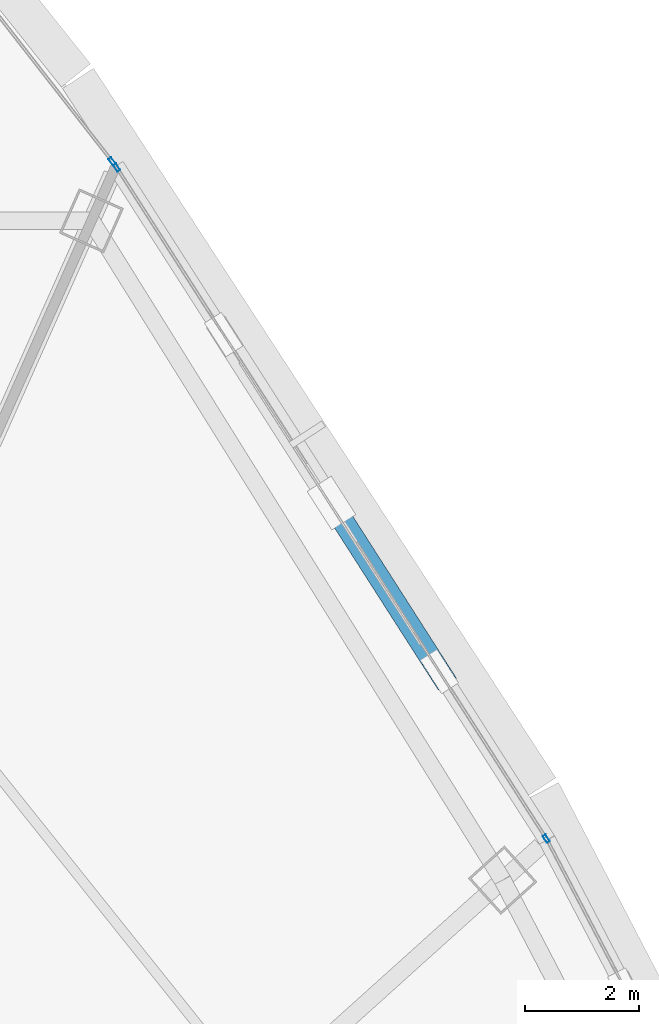
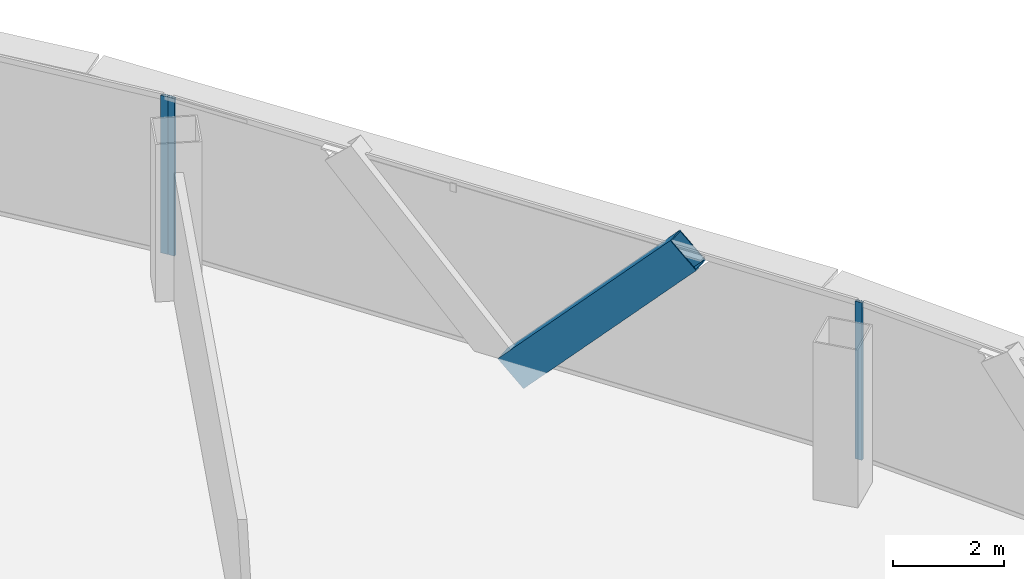
# One storey, part 22 of 36: 4 members, 2 elements without a shape of their own.
"""IFC4 building model written with IfcOpenShell, lengths in metres."""

import ifcopenshell
import ifcopenshell.guid

model = None  # the IFC model being written
_history = None  # IfcOwnerHistory: only IFC2X3 demands one
_inside = {}  # id of a spatial element -> (the spatial element, [elements in it])
_under = {}  # id of a project, library or spatial element -> (it, [spatial elements below it])
_declared = {}  # id of a project -> (the project, [libraries it declares])
_typed = {}  # id of a type object -> (the type object, [elements of that type])
_made_of = {}  # id of a material, layer set ... -> (it, [elements and type objects made of it])


def new_model(schema):
    """Start an empty IFC model of exactly this schema.

    Asked for "IFC4X3", IfcOpenShell would pick the latest addendum, in which some entities
    have other attributes; the version numbers below select the first issue.
    IFC2X3 requires an IfcOwnerHistory on every rooted entity: one is made here for all.
    """
    global model, _history
    if schema == "IFC4X3":
        model = ifcopenshell.file(schema_version=(4, 3, 0, 0))
    else:
        model = ifcopenshell.file(schema=schema)
    _inside.clear()
    _under.clear()
    _declared.clear()
    _typed.clear()
    _made_of.clear()
    _history = None
    if model.schema == "IFC2X3":
        org = make("IfcOrganization", Name="unknown")
        user = make(
            "IfcPersonAndOrganization",
            ThePerson=make("IfcPerson", FamilyName="unknown"),
            TheOrganization=org,
        )
        app = make(
            "IfcApplication",
            ApplicationDeveloper=org,
            Version="unknown",
            ApplicationFullName="unknown",
            ApplicationIdentifier="unknown",
        )
        _history = make(
            "IfcOwnerHistory",
            OwningUser=user,
            OwningApplication=app,
            ChangeAction="ADDED",
            CreationDate=0,
        )
    return model


def make(cls, **values):
    """One entity of the class cls with the attributes given. An attribute that is None is left unset."""
    return model.create_entity(
        cls, **{name: value for name, value in values.items() if value is not None}
    )


def rooted(cls, **values):
    """An entity with a GlobalId (a new one), such as an element, a storey or a relation."""
    return make(cls, GlobalId=ifcopenshell.guid.new(), OwnerHistory=_history, **values)


def si_unit(unit_type, name, prefix=None):
    """IfcSIUnit, for example si_unit("LENGTHUNIT", "METRE", prefix="MILLI")."""
    return make("IfcSIUnit", UnitType=unit_type, Prefix=prefix, Name=name)


def assignment(units):
    """IfcUnitAssignment: the units of a project."""
    return None if units is None else make("IfcUnitAssignment", Units=units)


def point(xyz):
    """IfcCartesianPoint."""
    return None if xyz is None else make("IfcCartesianPoint", Coordinates=xyz)


def direction(xyz):
    """IfcDirection."""
    return None if xyz is None else make("IfcDirection", DirectionRatios=xyz)


def frame(location, z_axis=None, x_axis=None):
    """IfcAxis2Placement3D, a coordinate frame: its origin and axes. An axis left out is left unset."""
    return make(
        "IfcAxis2Placement3D",
        Location=point(location),
        Axis=direction(z_axis),
        RefDirection=direction(x_axis),
    )


def frame_2d(location, x_axis=None):
    """IfcAxis2Placement2D, a coordinate frame in the plane: its origin and x axis."""
    return make(
        "IfcAxis2Placement2D", Location=point(location), RefDirection=direction(x_axis)
    )


def origin():
    """The frame at (0, 0, 0) with its axes left unset."""
    return frame((0.0, 0.0, 0.0))


def origin_2d():
    """The frame at (0, 0) in the plane with its x axis left unset."""
    return frame_2d((0.0, 0.0))


def place(relative_to, where):
    """IfcLocalPlacement: puts the frame where relative to a parent placement (None: the world)."""
    return make(
        "IfcLocalPlacement", PlacementRelTo=relative_to, RelativePlacement=where
    )


def context(
    kind, dimensions, precision=None, world=None, true_north=None, identifier=None
):
    """IfcGeometricRepresentationContext, for example the 3D "Model" context."""
    return make(
        "IfcGeometricRepresentationContext",
        ContextIdentifier=identifier,
        ContextType=kind,
        CoordinateSpaceDimension=dimensions,
        Precision=precision,
        WorldCoordinateSystem=world,
        TrueNorth=true_north,
    )


def subcontext(parent, identifier, kind, view, scale=None):
    """IfcGeometricRepresentationSubContext, for example "Body" below "Model"."""
    return make(
        "IfcGeometricRepresentationSubContext",
        ContextIdentifier=identifier,
        ContextType=kind,
        ParentContext=parent,
        TargetScale=scale,
        TargetView=view,
    )


def project(units=None, contexts=None):
    """IfcProject with its units and contexts."""
    return rooted(
        "IfcProject",
        Name="project",
        RepresentationContexts=contexts,
        UnitsInContext=assignment(units),
    )


def spatial(cls, under=None, at=None, **own):
    """A site, building, storey or space (cls), placed at a placement, below another one or the project."""
    s = rooted(cls, ObjectPlacement=at, **own)
    if under is not None:
        _under.setdefault(under.id(), (under, []))[1].append(s)
    return s


def profile(cls, at=None, kind="AREA", **sizes):
    """A parametric profile (cls). Its sizes go by their IFC names, for example OverallWidth=200.0."""
    return make(cls, ProfileType=kind, Position=at, **sizes)


def hollow_rectangle(**sizes):
    """IfcRectangleHollowProfileDef."""
    return profile("IfcRectangleHollowProfileDef", **sizes)


def extrude(swept, where, along, depth):
    """IfcExtrudedAreaSolid: the profile swept, set in the frame where, extruded along a direction by depth."""
    return make(
        "IfcExtrudedAreaSolid",
        SweptArea=swept,
        Position=where,
        ExtrudedDirection=direction(along),
        Depth=depth,
    )


def shape(context_of_items, identifier, shape_type, items):
    """IfcShapeRepresentation: the items that make up one representation, for example the "Body"."""
    return make(
        "IfcShapeRepresentation",
        ContextOfItems=context_of_items,
        RepresentationIdentifier=identifier,
        RepresentationType=shape_type,
        Items=items,
    )


def source(mapping_origin, context_of_items, identifier, shape_type, items):
    """IfcRepresentationMap: a shape defined once, which mapped items show again and again."""
    return make(
        "IfcRepresentationMap",
        MappingOrigin=mapping_origin,
        MappedRepresentation=shape(context_of_items, identifier, shape_type, items),
    )


def transform(
    local_origin,
    x_axis=None,
    y_axis=None,
    z_axis=None,
    scale=None,
    scale2=None,
    scale3=None,
    uniform=True,
):
    """IfcCartesianTransformationOperator3D, or its non-uniform kind. x_axis, y_axis, z_axis: its Axis1, 2, 3."""
    if uniform:
        return make(
            "IfcCartesianTransformationOperator3D",
            Axis1=direction(x_axis),
            Axis2=direction(y_axis),
            LocalOrigin=point(local_origin),
            Scale=scale,
            Axis3=direction(z_axis),
        )
    return make(
        "IfcCartesianTransformationOperator3DnonUniform",
        Axis1=direction(x_axis),
        Axis2=direction(y_axis),
        LocalOrigin=point(local_origin),
        Scale=scale,
        Axis3=direction(z_axis),
        Scale2=scale2,
        Scale3=scale3,
    )


def mapped(mapping_source, mapping_target):
    """IfcMappedItem: shows the shape of a source again, moved by a transform."""
    return make(
        "IfcMappedItem", MappingSource=mapping_source, MappingTarget=mapping_target
    )


def material(Name=None, Category=None):
    """IfcMaterial."""
    return make("IfcMaterial", Name=Name, Category=Category)


def layer(
    of_material, thickness, ventilated=None, Name=None, Category=None, Priority=None
):
    """IfcMaterialLayer: one layer of a wall or slab, of a material (None: an air gap)."""
    return make(
        "IfcMaterialLayer",
        Material=of_material,
        LayerThickness=thickness,
        IsVentilated=ventilated,
        Name=Name,
        Category=Category,
        Priority=Priority,
    )


def layer_set(layers, Name=None):
    """IfcMaterialLayerSet."""
    return make("IfcMaterialLayerSet", MaterialLayers=layers, LayerSetName=Name)


def material_profile(
    of_material, cross_section, Name=None, Category=None, Priority=None
):
    """IfcMaterialProfile: a cross section and its material."""
    return make(
        "IfcMaterialProfile",
        Name=Name,
        Material=of_material,
        Profile=cross_section,
        Priority=Priority,
        Category=Category,
    )


def profile_set(profiles, Name=None, composite=None):
    """IfcMaterialProfileSet."""
    return make(
        "IfcMaterialProfileSet",
        Name=Name,
        MaterialProfiles=profiles,
        CompositeProfile=composite,
    )


def made_of(thing, what):
    """Note that an element or type object is made of a material, layer set ...; save() writes the relation."""
    if what is not None:
        _made_of.setdefault(what.id(), (what, []))[1].append(thing)
    return thing


def type_object(cls, material=None, **own):
    """A type object (cls), such as IfcWallType, which elements share."""
    return made_of(rooted(cls, **own), material)


def element(
    cls,
    number,
    at=None,
    inside=None,
    cuts=None,
    type_object=None,
    material=None,
    context=None,
    identifier="Body",
    shape_type=None,
    held_by="IfcProductDefinitionShape",
    body=None,
    shapes=None,
    **own,
):
    """One element of the class cls, such as IfcWall. Its Tag is "e" and its number.

    at: its placement. inside: the storey or other place that contains it. cuts: it is an
    opening in that element (IfcRelVoidsElement). A single representation is given by context,
    identifier, shape_type and body (its items); several are given by shapes. held_by: the class
    of the entity that holds the representations. save() writes the other relations.
    """
    e = rooted(cls, Tag="e%d" % number, ObjectPlacement=at, **own)
    if body is not None:
        shapes = [shape(context, identifier, shape_type, body)]
    if shapes is not None:
        e.Representation = make(held_by, Representations=shapes)
    if inside is not None:
        _inside.setdefault(inside.id(), (inside, []))[1].append(e)
    if cuts is not None:
        rooted(
            "IfcRelVoidsElement", RelatingBuildingElement=cuts, RelatedOpeningElement=e
        )
    if type_object is not None:
        _typed.setdefault(type_object.id(), (type_object, []))[1].append(e)
    return made_of(e, material)


def aggregate(whole, parts):
    """IfcRelAggregates: a whole, such as a stair, and the parts it consists of."""
    return rooted("IfcRelAggregates", RelatingObject=whole, RelatedObjects=parts)


def save(model, path):
    """Write the relations noted so far, then the file.

    IfcRelAggregates (storeys below a building ...), IfcRelContainedInSpatialStructure (elements
    in a storey), IfcRelDefinesByType, IfcRelAssociatesMaterial and IfcRelDeclares: one each for
    every whole, place, type object, material and project.
    """
    for whole, parts in _under.values():
        aggregate(whole, parts)
    for where, things in _inside.values():
        rooted(
            "IfcRelContainedInSpatialStructure",
            RelatedElements=things,
            RelatingStructure=where,
        )
    for kind, things in _typed.values():
        rooted("IfcRelDefinesByType", RelatedObjects=things, RelatingType=kind)
    for what, things in _made_of.values():
        rooted("IfcRelAssociatesMaterial", RelatedObjects=things, RelatingMaterial=what)
    for by, libraries in _declared.values():
        rooted("IfcRelDeclares", RelatingContext=by, RelatedDefinitions=libraries)
    model.write(path)


model = new_model("IFC4")

# Units and contexts
model_context = context("Model", 3, precision=1e-05, world=origin(), true_north=direction((0.0, 1.0)))
body_context = subcontext(model_context, "Body", "Model", "MODEL_VIEW")
ifc_project = project(units=[si_unit("LENGTHUNIT", "METRE"), si_unit("AREAUNIT", "SQUARE_METRE"), si_unit("VOLUMEUNIT", "CUBIC_METRE"), si_unit("PLANEANGLEUNIT", "RADIAN"), si_unit("MASSUNIT", "GRAM", prefix="KILO"), si_unit("THERMODYNAMICTEMPERATUREUNIT", "KELVIN"), si_unit("POWERUNIT", "WATT")], contexts=[model_context])

# Site, building, storey
site_placement = place(None, origin())
site = spatial("IfcSite", under=ifc_project, at=site_placement, CompositionType="ELEMENT")
building_placement = place(site_placement, origin())
building = spatial("IfcBuilding", under=site, at=building_placement, Name="Yunzhuo Pagoda Commons", CompositionType="ELEMENT")
storey_placement = place(building_placement, frame((0.0, 0.0, 263.179931640625)))
storey = spatial("IfcBuildingStorey", under=building, at=storey_placement, Name="L66", CompositionType="ELEMENT", Elevation=263.179931640625)

# Member
ifc_material_1 = material(Name="Structural steel Q355B", Category="steel")
ifc_material_profile_1 = material_profile(ifc_material_1, hollow_rectangle(XDim=0.3798828125, YDim=0.719970703125, WallThickness=0.02001953125, at=origin_2d()), Name="Structural steel Q355B")
ifc_profile_set_1 = profile_set([ifc_material_profile_1], Name="Structural steel Q355B")
member_type_1 = type_object("IfcMemberType", Name="M-DL3 Brace BOX 720x380x20", PredefinedType="BRACE", material=ifc_profile_set_1)
shared_shape_1 = source(origin(), body_context, "Body", "SweptSolid", [
    extrude(hollow_rectangle(XDim=0.3798828125, YDim=0.719970703125, WallThickness=0.02001953125, at=origin_2d()), origin(), (0.0, 0.0, 1.0), 5.11865234375),
])
member_1_placement = place(storey_placement, frame((65.61279296875, 58.866455078125, -0.260009765625), z_axis=(0.369264878017, -0.576743852361, 0.72870431495), x_axis=(0.842172726418, 0.539207843858, 0.0)))
element("IfcMember", 1, at=member_1_placement, inside=storey, type_object=member_type_1, Name="L66 facade diamond brace F2.3L", PredefinedType="BRACE", context=body_context, shape_type="MappedRepresentation", body=[
    mapped(shared_shape_1, transform((0.0, 0.0, 0.0), scale=1.0)),
])

# Curtain wall, members
ifc_material_2 = material(Name="Anodized aluminium 6063-T6", Category="aluminium")
ifc_layer = layer(ifc_material_2, 0.139892578125)
ifc_layer_set = layer_set([ifc_layer], Name="Anodized aluminium 6063-T6")
curtain_wall_type = type_object("IfcCurtainWallType", Name="CW-HI High-Zone Ribbon Curtain Wall", PredefinedType="NOTDEFINED", material=ifc_layer_set)
curtain_wall_1_placement = place(storey_placement, origin())
curtain_wall_1 = element("IfcCurtainWall", 2, at=curtain_wall_1_placement, inside=storey, type_object=curtain_wall_type, Name="L66 curtain wall CW-L66-F2B4", PredefinedType="NOTDEFINED")
ifc_material_profile_2 = material_profile(ifc_material_2, hollow_rectangle(XDim=0.06005859375, YDim=0.139892578125, WallThickness=0.00341796875, at=origin_2d()), Name="Anodized aluminium 6063-T6")
ifc_profile_set_2 = profile_set([ifc_material_profile_2], Name="Anodized aluminium 6063-T6")
member_type_2 = type_object("IfcMemberType", Name="CW-HI-M Mullion RHS 140x60x3.5", PredefinedType="MULLION", material=ifc_profile_set_2)
shared_shape_2 = source(origin(), body_context, "Body", "SweptSolid", [
    extrude(hollow_rectangle(XDim=0.06005859375, YDim=0.139892578125, WallThickness=0.00341796875, at=origin_2d()), origin(), (0.0, 0.0, 1.0), 3.469970703125),
])
member_2_placement = place(storey_placement, frame((69.3759765625, 52.9873046875, 0.0), z_axis=(0.0, 0.0, 1.0), x_axis=(-0.842255727545, -0.539078184884, 0.0)))
member_2 = element("IfcMember", 3, at=member_2_placement, type_object=member_type_2, Name="CW mullion 1", PredefinedType="MULLION", context=body_context, shape_type="MappedRepresentation", body=[
    mapped(shared_shape_2, transform((0.0, 0.0, 0.0), scale=1.0)),
])
member_3_placement = place(storey_placement, frame((61.85009765625, 64.745849609375, 0.0), z_axis=(0.0, 0.0, 1.0), x_axis=(-0.842255727545, -0.539078184884, 0.0)))
member_3 = element("IfcMember", 4, at=member_3_placement, type_object=member_type_2, Name="CW mullion 2", PredefinedType="MULLION", context=body_context, shape_type="MappedRepresentation", body=[
    mapped(shared_shape_2, transform((0.0, 0.0, 0.0), scale=1.0)),
])
aggregate(curtain_wall_1, [member_2, member_3])

# Curtain wall, member
curtain_wall_2_placement = place(storey_placement, origin())
curtain_wall_2 = element("IfcCurtainWall", 5, at=curtain_wall_2_placement, inside=storey, type_object=curtain_wall_type, Name="L66 curtain wall CW-L66-F2B5", PredefinedType="NOTDEFINED")
member_4_placement = place(storey_placement, frame((61.76904296875, 64.853759765625, 0.0), z_axis=(0.0, 0.0, 1.0), x_axis=(-0.788480008462, -0.615060384235, 0.0)))
member_4 = element("IfcMember", 6, at=member_4_placement, type_object=member_type_2, Name="CW mullion 1", PredefinedType="MULLION", context=body_context, shape_type="MappedRepresentation", body=[
    mapped(shared_shape_2, transform((0.0, 0.0, 0.0), scale=1.0)),
])
aggregate(curtain_wall_2, [member_4])

save(model, "model.ifc")
